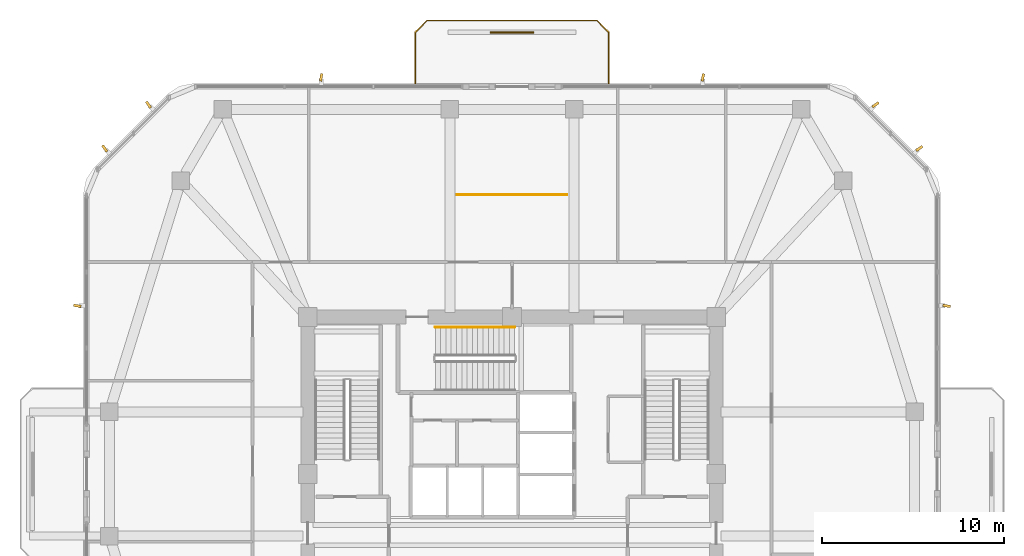
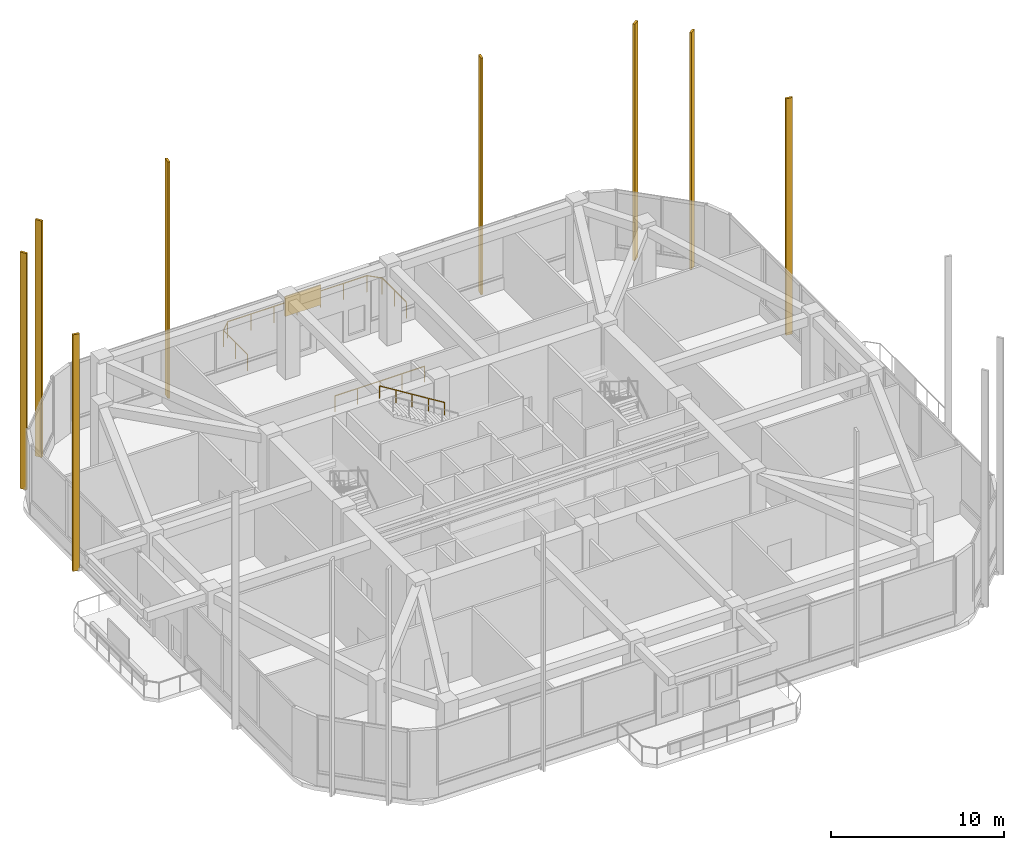
# One storey, part 12 of 12: 9 shading devices, 3 railings.
"""IFC4 building model written with IfcOpenShell, lengths in metres."""

from ifc_helpers import new_model, si_unit, derived_unit, direction, frame, origin, origin_2d, place, context, subcontext, project, spatial, rectangle, extrude, material, layer, layer_set, type_object, element, save


model = new_model("IFC4")

# Units and contexts
model_context = context("Model", 3, precision=1e-05, world=origin(), true_north=direction((0.0, 1.0)))
body_context = subcontext(model_context, "Body", "Model", "MODEL_VIEW")
ifc_project = project(units=[si_unit("LENGTHUNIT", "METRE"), si_unit("AREAUNIT", "SQUARE_METRE"), si_unit("VOLUMEUNIT", "CUBIC_METRE"), si_unit("PLANEANGLEUNIT", "RADIAN"), si_unit("MASSUNIT", "GRAM", prefix="KILO"), derived_unit("THERMALTRANSMITTANCEUNIT", [(si_unit("POWERUNIT", "WATT"), 1), (si_unit("LENGTHUNIT", "METRE"), -2), (si_unit("THERMODYNAMICTEMPERATUREUNIT", "KELVIN"), -1)])], contexts=[model_context])

# Site, building, storey
site_placement = place(None, origin())
site = spatial("IfcSite", under=ifc_project, at=site_placement, CompositionType="ELEMENT")
building_placement = place(site_placement, origin())
building = spatial("IfcBuilding", under=site, at=building_placement, Name="Koralith Skygarden Medical Center", CompositionType="ELEMENT")
storey_placement = place(building_placement, frame((0.0, 0.0, 129.06005859375)))
storey = spatial("IfcBuildingStorey", under=building, at=storey_placement, Name="L33", CompositionType="ELEMENT", Elevation=129.06005859375)

# Railing
ifc_material_1 = material(Name="Clear Laminated Glass", Category="glass")
railing_type_1 = type_object("IfcRailingType", Name="Atrium & Sky-Lobby Glass Balustrade 1150", PredefinedType="BALUSTRADE", material=ifc_material_1)
railing_1_placement = place(storey_placement, frame((34.0, 41.199951171875, 0.0)))
element("IfcRailing", 1, at=railing_1_placement, inside=storey, type_object=railing_type_1, Name="L33 Sky-Lobby Conservatory Gallery Balustrade", PredefinedType="BALUSTRADE", context=body_context, shape_type="SweptSolid", body=[
    extrude(rectangle(XDim=0.050048828125, YDim=0.050048828125, at=origin_2d()), frame((0.001953125, 0.0, 1.125), z_axis=(1.0, 0.0, 0.0), x_axis=(0.0, 1.0, 0.0)), (0.0, 0.0, 1.0), 5.99609375),
    extrude(rectangle(XDim=0.0419921875, YDim=0.0419921875, at=origin_2d()), origin(), (0.0, 0.0, 1.0), 1.097900390625),
    extrude(rectangle(XDim=0.0419921875, YDim=0.0419921875, at=origin_2d()), frame((1.5, 0.0, 0.0)), (0.0, 0.0, 1.0), 1.097900390625),
    extrude(rectangle(XDim=0.0419921875, YDim=0.0419921875, at=origin_2d()), frame((3.0, 0.0, 0.0)), (0.0, 0.0, 1.0), 1.097900390625),
    extrude(rectangle(XDim=0.0419921875, YDim=0.0419921875, at=origin_2d()), frame((4.5, 0.0, 0.0)), (0.0, 0.0, 1.0), 1.097900390625),
    extrude(rectangle(XDim=0.0419921875, YDim=0.0419921875, at=origin_2d()), frame((6.0, 0.0, 0.0)), (0.0, 0.0, 1.0), 1.097900390625),
])

# Shading devices
ifc_material_2 = material(Name="Aluminium 6063-T6", Category="aluminium")
shading_device_type_1 = type_object("IfcShadingDeviceType", Name="Limestone-Clad Solar Storm Fin 420", PredefinedType="USERDEFINED", material=ifc_material_2)
for number, where, z_axis, x_axis, name in (
    (2, (60.81396484375, 35.110107421875, -0.199951171875), (0.0, 0.0, 1.0), (0.986406322753, -0.164324576475, 0.0), "L33 E Harmonic Solar Storm Fin 2"),
    (3, (59.31591796875, 43.73388671875, -0.199951171875), (0.0, 0.0, 1.0), (0.822432073968, 0.568863326036, 0.0), "L33 NE Harmonic Solar Storm Fin 1"),
    (4, (56.91796875, 46.132080078125, -0.199951171875), (0.0, 0.0, 1.0), (0.813689622165, 0.581299577483, 0.0), "L33 NE Harmonic Solar Storm Fin 2"),
    (5, (47.4599609375, 47.6298828125, -0.199951171875), (0.0, 0.0, 1.0), (0.17930018116, 0.983794411976, 0.0), "L33 N Harmonic Solar Storm Fin 1"),
    (6, (26.5400390625, 47.6298828125, -0.199951171875), (0.0, 0.0, 1.0), (0.164324576475, 0.986406322753, 0.0), "L33 N Harmonic Solar Storm Fin 2"),
    (7, (17.08203125, 46.132080078125, -0.199951171875), (0.0, 0.0, 1.0), (-0.568863326036, 0.822432073968, 0.0), "L33 NW Harmonic Solar Storm Fin 1"),
    (8, (14.68408203125, 43.73388671875, -0.199951171875), (0.0, 0.0, 1.0), (-0.581299577483, 0.813689622165, 0.0), "L33 NW Harmonic Solar Storm Fin 2"),
    (9, (13.18603515625, 35.110107421875, -0.199951171875), (0.0, 0.0, 1.0), (-0.983794411976, 0.17930018116, 0.0), "L33 W Harmonic Solar Storm Fin 1"),
):
    element("IfcShadingDevice", number, at=place(storey_placement, frame(where, z_axis=z_axis, x_axis=x_axis)), inside=storey, type_object=shading_device_type_1, Name=name, ObjectType="SOLAR FIN", PredefinedType="USERDEFINED", context=body_context, shape_type="SweptSolid", body=[
        extrude(rectangle(XDim=0.419921875, YDim=0.139892578125, at=origin_2d()), origin(), (0.0, 0.0, 1.0), 16.7099609375),
    ])

# Railing
ifc_material_3 = material(Name="Steel ASTM A500 Grade C", Category="steel")
railing_type_2 = type_object("IfcRailingType", Name="Outdoor Terrace & Balcony Safety Guardrail 1180", PredefinedType="GUARDRAIL", material=ifc_material_3)
railing_2_placement = place(storey_placement, frame((42.300048828125, 47.300048828125, 0.0)))
element("IfcRailing", 10, at=railing_2_placement, inside=storey, type_object=railing_type_2, Name="L33 N Balcony Perimeter Guardrail", PredefinedType="GUARDRAIL", context=body_context, shape_type="SweptSolid", body=[
    extrude(rectangle(XDim=0.050048828125, YDim=0.050048828125, at=origin_2d()), frame((0.0, 0.001953125, 1.15478515625), z_axis=(0.0, 1.0, 0.0), x_axis=(-1.0, 0.0, 0.0)), (0.0, 0.0, 1.0), 2.796142578125),
    extrude(rectangle(XDim=0.050048828125, YDim=0.050048828125, at=origin_2d()), frame((-0.00146484375, 2.801513671875, 1.15478515625), z_axis=(-0.707239558722, 0.706973978714, 0.0), x_axis=(-0.706973978714, -0.707239558722, 0.0)), (0.0, 0.0, 1.0), 0.915283203125),
    extrude(rectangle(XDim=0.050048828125, YDim=0.050048828125, at=origin_2d()), frame((-0.652099609375, 3.449951171875, 1.15478515625), z_axis=(-1.0, 0.0, 0.0), x_axis=(0.0, -1.0, 0.0)), (0.0, 0.0, 1.0), 9.2958984375),
    extrude(rectangle(XDim=0.050048828125, YDim=0.050048828125, at=origin_2d()), frame((-9.951416015625, 3.448486328125, 1.15478515625), z_axis=(-0.707239558722, -0.706973978714, 0.0), x_axis=(0.706973978714, -0.707239558722, 0.0)), (0.0, 0.0, 1.0), 0.915283203125),
    extrude(rectangle(XDim=0.050048828125, YDim=0.050048828125, at=origin_2d()), frame((-10.60009765625, 2.798095703125, 1.15478515625), z_axis=(0.0, -1.0, 0.0), x_axis=(1.0, 0.0, 0.0)), (0.0, 0.0, 1.0), 2.796142578125),
    extrude(rectangle(XDim=0.0419921875, YDim=0.0419921875, at=origin_2d()), origin(), (0.0, 0.0, 1.0), 1.1279296875),
    extrude(rectangle(XDim=0.0419921875, YDim=0.0419921875, at=origin_2d()), frame((0.0, 1.39990234375, 0.0)), (0.0, 0.0, 1.0), 1.1279296875),
    extrude(rectangle(XDim=0.0419921875, YDim=0.0419921875, at=origin_2d()), frame((0.0, 2.800048828125, 0.0)), (0.0, 0.0, 1.0), 1.1279296875),
    extrude(rectangle(XDim=0.0419921875, YDim=0.0419921875, at=origin_2d()), frame((-0.650146484375, 3.449951171875, 0.0)), (0.0, 0.0, 1.0), 1.1279296875),
    extrude(rectangle(XDim=0.0419921875, YDim=0.0419921875, at=origin_2d()), frame((-2.2001953125, 3.449951171875, 0.0)), (0.0, 0.0, 1.0), 1.1279296875),
    extrude(rectangle(XDim=0.0419921875, YDim=0.0419921875, at=origin_2d()), frame((-3.75, 3.449951171875, 0.0)), (0.0, 0.0, 1.0), 1.1279296875),
    extrude(rectangle(XDim=0.0419921875, YDim=0.0419921875, at=origin_2d()), frame((-5.300048828125, 3.449951171875, 0.0)), (0.0, 0.0, 1.0), 1.1279296875),
    extrude(rectangle(XDim=0.0419921875, YDim=0.0419921875, at=origin_2d()), frame((-6.85009765625, 3.449951171875, 0.0)), (0.0, 0.0, 1.0), 1.1279296875),
    extrude(rectangle(XDim=0.0419921875, YDim=0.0419921875, at=origin_2d()), frame((-8.39990234375, 3.449951171875, 0.0)), (0.0, 0.0, 1.0), 1.1279296875),
    extrude(rectangle(XDim=0.0419921875, YDim=0.0419921875, at=origin_2d()), frame((-9.949951171875, 3.449951171875, 0.0)), (0.0, 0.0, 1.0), 1.1279296875),
    extrude(rectangle(XDim=0.0419921875, YDim=0.0419921875, at=origin_2d()), frame((-10.60009765625, 2.800048828125, 0.0)), (0.0, 0.0, 1.0), 1.1279296875),
    extrude(rectangle(XDim=0.0419921875, YDim=0.0419921875, at=origin_2d()), frame((-10.60009765625, 1.39990234375, 0.0)), (0.0, 0.0, 1.0), 1.1279296875),
    extrude(rectangle(XDim=0.0419921875, YDim=0.0419921875, at=origin_2d()), frame((-10.60009765625, 0.0, 0.0)), (0.0, 0.0, 1.0), 1.1279296875),
])

# Shading device
ifc_layer = layer(ifc_material_2, 0.080078125)
ifc_layer_set = layer_set([ifc_layer], Name="Aluminium 6063-T6")
shading_device_type_2 = type_object("IfcShadingDeviceType", Name="Perforated Biophilic Balcony Trellis Screen", PredefinedType="USERDEFINED", material=ifc_layer_set)
shading_device_placement = place(storey_placement, frame((37.0, 50.10009765625, 0.719970703125), z_axis=(0.0, 0.0, 1.0), x_axis=(1.0, 0.0, 0.0)))
element("IfcShadingDevice", 11, at=shading_device_placement, inside=storey, type_object=shading_device_type_2, Name="L33 N Biophilic Balcony Trellis Screen", ObjectType="HURRICANE SCREEN", PredefinedType="USERDEFINED", context=body_context, shape_type="SweptSolid", body=[
    extrude(rectangle(XDim=2.39990234375, YDim=0.080078125, at=origin_2d()), origin(), (0.0, 0.0, 1.0), 1.39990234375),
])

# Railing
railing_type_3 = type_object("IfcRailingType", Name="Stair Flight Tubular Handrail 920", PredefinedType="HANDRAIL", material=ifc_material_3)
railing_3_placement = place(storey_placement, frame((37.14990234375, 33.949951171875, 3.06005859375)))
element("IfcRailing", 12, at=railing_3_placement, inside=storey, type_object=railing_type_3, Name="L33 ST3 stair handrail 2", PredefinedType="HANDRAIL", context=body_context, shape_type="SweptSolid", body=[
    extrude(rectangle(XDim=0.050048828125, YDim=0.050048828125, at=origin_2d()), frame((-0.001708984375, 0.0, 0.89599609375), z_axis=(-0.849636482215, 0.0, 0.527368797038), x_axis=(0.0, -1.0, 0.0)), (0.0, 0.0, 1.0), 5.11572265625),
    extrude(rectangle(XDim=0.0419921875, YDim=0.0419921875, at=origin_2d()), origin(), (0.0, 0.0, 1.0), 0.867919921875),
    extrude(rectangle(XDim=0.0419921875, YDim=0.0419921875, at=origin_2d()), frame((-1.08740234375, 0.0, 0.675048828125)), (0.0, 0.0, 1.0), 0.867919921875),
    extrude(rectangle(XDim=0.0419921875, YDim=0.0419921875, at=origin_2d()), frame((-2.1748046875, 0.0, 1.35009765625)), (0.0, 0.0, 1.0), 0.867919921875),
    extrude(rectangle(XDim=0.0419921875, YDim=0.0419921875, at=origin_2d()), frame((-3.262451171875, 0.0, 2.02490234375)), (0.0, 0.0, 1.0), 0.867919921875),
    extrude(rectangle(XDim=0.0419921875, YDim=0.0419921875, at=origin_2d()), frame((-4.349853515625, 0.0, 2.699951171875)), (0.0, 0.0, 1.0), 0.867919921875),
])

save(model, "model.ifc")
